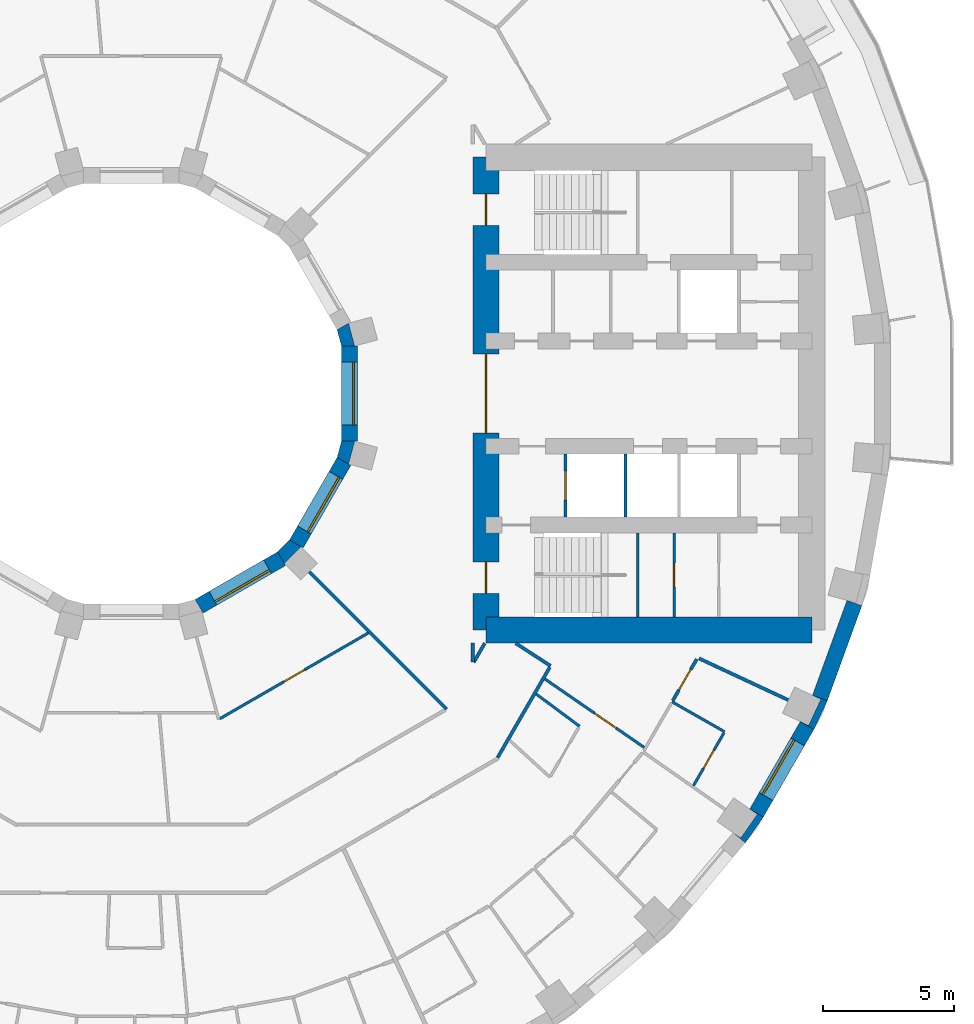
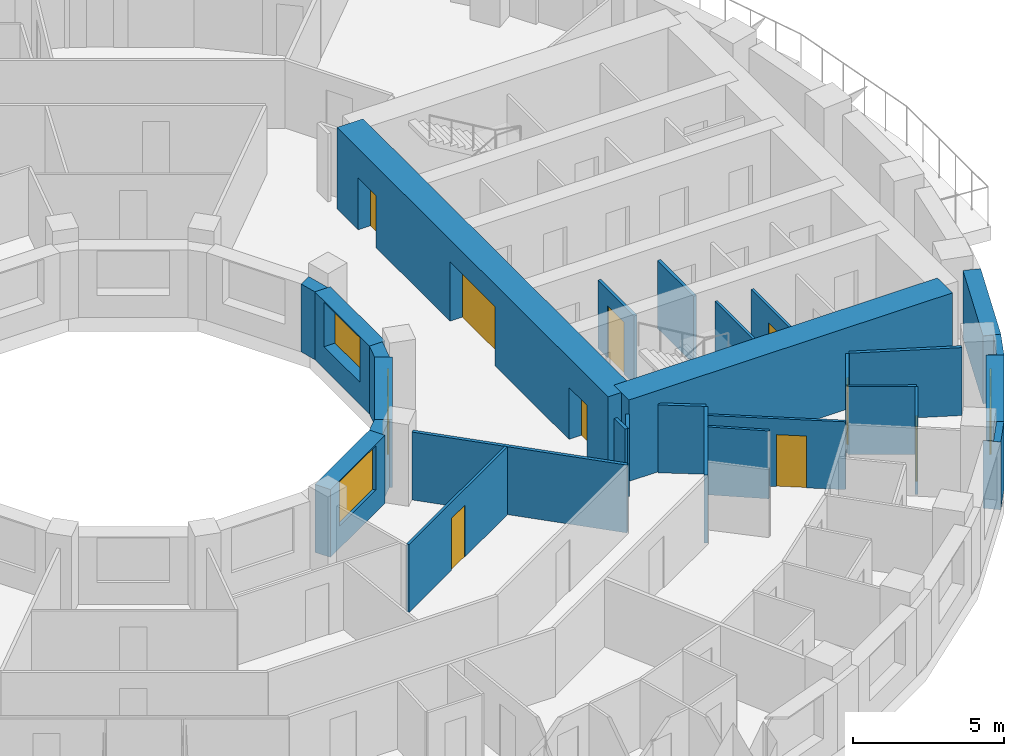
# One storey, part 8 of 15: 28 walls, 9 doors, 4 windows, 13 openings.
"""IFC4 building model written with IfcOpenShell, lengths in metres."""

from ifc_helpers import new_model, si_unit, direction, frame, frame_2d, origin, place, context, subcontext, project, spatial, polyline, rectangle, outline, extrude, material, layer, layer_set, type_object, element, fill, save


model = new_model("IFC4")

# Units and contexts
model_context = context("Model", 3, precision=1e-05, world=origin(), true_north=direction((0.0, 1.0)))
body_context = subcontext(model_context, "Body", "Model", "MODEL_VIEW")
ifc_project = project(units=[si_unit("LENGTHUNIT", "METRE"), si_unit("AREAUNIT", "SQUARE_METRE"), si_unit("VOLUMEUNIT", "CUBIC_METRE"), si_unit("PLANEANGLEUNIT", "RADIAN"), si_unit("MASSUNIT", "GRAM", prefix="KILO")], contexts=[model_context])

# Site, building, storey
site_placement = place(None, origin())
site = spatial("IfcSite", under=ifc_project, at=site_placement, CompositionType="ELEMENT")
building_placement = place(site_placement, origin())
building = spatial("IfcBuilding", under=site, at=building_placement, Name="Saqina Gate Tower", CompositionType="ELEMENT")
storey_placement = place(building_placement, frame((0.0, 0.0, 56.0)))
storey = spatial("IfcBuildingStorey", under=building, at=storey_placement, Name="L15", CompositionType="ELEMENT", Elevation=56.0)

# Walls
ifc_material_1 = material(Name="Brick masonry (red)", Category="masonry")
wall_type_1 = type_object("IfcWallType", Name="BRICK PIER COPING RED", PredefinedType="SOLIDWALL", material=ifc_material_1)
wall_1_placement = place(storey_placement, origin())
element("IfcWall", 1, at=wall_1_placement, inside=storey, type_object=wall_type_1, Name="Pier cap L15 column 33", PredefinedType="SOLIDWALL", context=body_context, shape_type="SweptSolid", body=[
    extrude(outline(polyline([(23.36669921875, -17.096923828125), (24.0576171875, -16.110107421875), (23.5380859375, -15.81005859375), (23.8251953125, -16.010986328125), (23.194091796875, -16.912109375), (22.9072265625, -16.711181640625), (23.36669921875, -17.096923828125)])), origin(), (0.0, 0.0, 1.0), 2.75),
])
wall_2_placement = place(storey_placement, origin())
element("IfcWall", 2, at=wall_2_placement, inside=storey, type_object=wall_type_1, Name="Pier cap L15 column 34", PredefinedType="SOLIDWALL", context=body_context, shape_type="SweptSolid", body=[
    extrude(outline(polyline([(26.48974609375, -11.687744140625), (25.92578125, -11.482666015625), (26.243408203125, -11.630615234375), (25.778564453125, -12.627685546875), (25.4609375, -12.4794921875), (25.980712890625, -12.779541015625), (26.48974609375, -11.687744140625)])), origin(), (0.0, 0.0, 1.0), 2.75),
])

# Wall, opening, door
ifc_material_2 = material(Name="Gypsum board on steel studs", Category="steel")
ifc_layer_1 = layer(ifc_material_2, 0.10009765625)
ifc_layer_set_1 = layer_set([ifc_layer_1], Name="CORE PARTITION")
wall_type_2 = type_object("IfcWallType", Name="CORE PARTITION", PredefinedType="PARTITIONING", material=ifc_layer_set_1)
wall_3_placement = place(storey_placement, frame((20.65771484375, -8.5, 0.0), z_axis=(0.0, 0.0, 1.0), x_axis=(0.0, 1.0, 0.0)))
wall_3 = element("IfcWall", 3, at=wall_3_placement, inside=storey, type_object=wall_type_2, Name="L15-CP-E13", PredefinedType="PARTITIONING", context=body_context, shape_type="SweptSolid", body=[
    extrude(rectangle(XDim=3.199951171875, YDim=0.10009765625, at=frame_2d((1.60009765625, 0.0))), origin(), (0.0, 0.0, 1.0), 2.75),
])
opening_1_placement = place(wall_3_placement, frame((1.14990234375, 0.0, 0.0)))
opening_1 = element("IfcOpeningElement", 4, at=opening_1_placement, cuts=wall_3, Name="Opening G04-D100", PredefinedType="OPENING", context=body_context, shape_type="SweptSolid", body=[
    extrude(rectangle(XDim=0.89990234375, YDim=2.10009765625, at=frame_2d((0.449951171875, 1.050048828125))), frame((0.0, 0.06201171875, 0.0), z_axis=(0.0, -1.0, 0.0), x_axis=(1.0, 0.0, 0.0)), (0.0, 0.0, 1.0), 0.1240234375),
])
ifc_material_3 = material(Name="Steel-framed fire door leaf, EI 60", Category="steel")
door_type_1 = type_object("IfcDoorType", Name="SERVICE ROOM DOOR 900", OperationType="SINGLE_SWING_LEFT", PredefinedType="DOOR", material=ifc_material_3)
door_1_placement = place(opening_1_placement, frame((0.89990234375, 0.0, 0.0), z_axis=(0.0, 0.0, 1.0), x_axis=(-1.0, 0.0, 0.0)))
door_1 = element("IfcDoor", 5, at=door_1_placement, inside=storey, type_object=door_type_1, Name="L15-CD-E11", OperationType="SINGLE_SWING_RIGHT", OverallHeight=2.10009765625, OverallWidth=0.89990234375, PredefinedType="DOOR", context=body_context, shape_type="SweptSolid", body=[
    extrude(rectangle(XDim=0.89990234375, YDim=2.10009765625, at=frame_2d((0.449951171875, 1.050048828125))), frame((0.0, 0.02490234375, 0.0), z_axis=(0.0, -1.0, 0.0), x_axis=(1.0, 0.0, 0.0)), (0.0, 0.0, 1.0), 0.050048828125),
])
fill(opening_1, door_1)

# Wall, opening, window
ifc_material_4 = material(Name="Brick masonry (red)", Category="masonry")
ifc_layer_2 = layer(ifc_material_4, 0.60009765625)
ifc_layer_set_2 = layer_set([ifc_layer_2], Name="FW-BRICK-RED")
wall_type_3 = type_object("IfcWallType", Name="FW-BRICK-RED", PredefinedType="SOLIDWALL", material=ifc_layer_set_2)
wall_4_placement = place(storey_placement, frame((23.7978515625, -15.960205078125, 0.0), z_axis=(0.0, 0.0, 1.0), x_axis=(0.499989888488, 0.86603124159, 0.0)))
wall_4 = element("IfcWall", 6, at=wall_4_placement, inside=storey, type_object=wall_type_3, Name="Facade wall L15 facet 33", PredefinedType="SOLIDWALL", context=body_context, shape_type="SweptSolid", body=[
    extrude(rectangle(XDim=3.845703125, YDim=0.60009765625, at=frame_2d((1.9228515625, 0.0))), origin(), (0.0, 0.0, 1.0), 2.75),
])
opening_2_placement = place(wall_4_placement, frame((0.722900390625, 0.0, 0.89990234375)))
opening_2 = element("IfcOpeningElement", 7, at=opening_2_placement, cuts=wall_4, Name="Opening G04-W23", PredefinedType="OPENING", context=body_context, shape_type="SweptSolid", body=[
    extrude(rectangle(XDim=2.39990234375, YDim=1.800048828125, at=frame_2d((1.199951171875, 0.89990234375))), frame((0.0, 0.31201171875, 0.0), z_axis=(0.0, -1.0, 0.0), x_axis=(1.0, 0.0, 0.0)), (0.0, 0.0, 1.0), 0.6240234375),
])
ifc_material_5 = material(Name="Aluminium glazing", Category="aluminium")
window_type_1 = type_object("IfcWindowType", Name="WN-A", PartitioningType="SINGLE_PANEL", PredefinedType="WINDOW", material=ifc_material_5)
window_1_placement = place(opening_2_placement, origin())
window_1 = element("IfcWindow", 8, at=window_1_placement, inside=storey, type_object=window_type_1, Name="Window L15 facet 33", OverallHeight=1.800048828125, OverallWidth=2.39990234375, PartitioningType="SINGLE_PANEL", PredefinedType="WINDOW", context=body_context, shape_type="SweptSolid", body=[
    extrude(rectangle(XDim=2.39990234375, YDim=1.800048828125, at=frame_2d((1.199951171875, 0.89990234375))), frame((0.0, 0.179931640625, 0.0), z_axis=(0.0, -1.0, 0.0), x_axis=(1.0, 0.0, 0.0)), (0.0, 0.0, 1.0), 0.06005859375),
])
fill(opening_2, window_1)

# Wall
ifc_material_6 = material(Name="Glazed ceramic tile", Category="ceramic")
ifc_layer_3 = layer(ifc_material_6, 0.60009765625)
ifc_layer_set_3 = layer_set([ifc_layer_3], Name="FW-TILE")
wall_type_4 = type_object("IfcWallType", Name="FW-TILE", PredefinedType="SOLIDWALL", material=ifc_layer_set_3)
wall_5_placement = place(storey_placement, frame((26.207763671875, -11.585205078125, 0.0), z_axis=(0.0, 0.0, 1.0), x_axis=(0.342028474173, 0.939689588564, 0.0)))
element("IfcWall", 9, at=wall_5_placement, inside=storey, type_object=wall_type_4, Name="Facade wall L15 facet 34", PredefinedType="SOLIDWALL", context=body_context, shape_type="SweptSolid", body=[
    extrude(rectangle(XDim=3.845947265625, YDim=0.60009765625, at=frame_2d((1.9228515625, 0.0))), origin(), (0.0, 0.0, 1.0), 2.75),
])

# Wall, opening, window
ifc_material_7 = material(Name="Glazed ceramic tile", Category="ceramic")
ifc_layer_4 = layer(ifc_material_7, 0.60009765625)
ifc_layer_set_4 = layer_set([ifc_layer_4], Name="IW-TILE")
wall_type_5 = type_object("IfcWallType", Name="IW-TILE", PredefinedType="SOLIDWALL", material=ifc_layer_set_4)
wall_6_placement = place(storey_placement, frame((2.580322265625, -8.09423828125, 0.0), z_axis=(0.0, 0.0, 1.0), x_axis=(0.866029693906, 0.499992569217, 0.0)))
wall_6 = element("IfcWall", 10, at=wall_6_placement, inside=storey, type_object=wall_type_5, Name="Well wall L15 facet 10", PredefinedType="SOLIDWALL", context=body_context, shape_type="SweptSolid", body=[
    extrude(rectangle(XDim=3.625, YDim=0.60009765625, at=frame_2d((1.8125, 0.0))), origin(), (0.0, 0.0, 1.0), 2.75),
])
opening_3_placement = place(wall_6_placement, frame((0.612548828125, 0.0, 0.89990234375)))
opening_3 = element("IfcOpeningElement", 11, at=opening_3_placement, cuts=wall_6, Name="Opening G04-W33", PredefinedType="OPENING", context=body_context, shape_type="SweptSolid", body=[
    extrude(rectangle(XDim=2.39990234375, YDim=1.800048828125, at=frame_2d((1.199951171875, 0.89990234375))), frame((0.0, 0.31201171875, 0.0), z_axis=(0.0, -1.0, 0.0), x_axis=(1.0, 0.0, 0.0)), (0.0, 0.0, 1.0), 0.6240234375),
])
ifc_material_8 = material(Name="Aluminium glazing", Category="aluminium")
window_type_2 = type_object("IfcWindowType", Name="WN-W", PartitioningType="SINGLE_PANEL", PredefinedType="WINDOW", material=ifc_material_8)
window_2_placement = place(opening_3_placement, origin())
window_2 = element("IfcWindow", 12, at=window_2_placement, inside=storey, type_object=window_type_2, Name="Well window L15 facet 10", OverallHeight=1.800048828125, OverallWidth=2.39990234375, PartitioningType="SINGLE_PANEL", PredefinedType="WINDOW", context=body_context, shape_type="SweptSolid", body=[
    extrude(rectangle(XDim=2.39990234375, YDim=1.800048828125, at=frame_2d((1.199951171875, 0.89990234375))), frame((0.0, -0.119873046875, 0.0), z_axis=(0.0, -1.0, 0.0), x_axis=(1.0, 0.0, 0.0)), (0.0, 0.0, 1.0), 0.06005859375),
])
fill(opening_3, window_2)

wall_7_placement = place(storey_placement, frame((6.28173828125, -5.7197265625, 0.0), z_axis=(0.0, 0.0, 1.0), x_axis=(0.499992569217, 0.866029693906, 0.0)))
wall_7 = element("IfcWall", 13, at=wall_7_placement, inside=storey, type_object=wall_type_5, Name="Well wall L15 facet 11", PredefinedType="SOLIDWALL", context=body_context, shape_type="SweptSolid", body=[
    extrude(rectangle(XDim=3.625, YDim=0.60009765625, at=frame_2d((1.8125, 0.0))), origin(), (0.0, 0.0, 1.0), 2.75),
])
opening_4_placement = place(wall_7_placement, frame((0.612548828125, 0.0, 0.89990234375)))
opening_4 = element("IfcOpeningElement", 14, at=opening_4_placement, cuts=wall_7, Name="Opening G04-W34", PredefinedType="OPENING", context=body_context, shape_type="SweptSolid", body=[
    extrude(rectangle(XDim=2.39990234375, YDim=1.800048828125, at=frame_2d((1.199951171875, 0.89990234375))), frame((0.0, 0.31201171875, 0.0), z_axis=(0.0, -1.0, 0.0), x_axis=(1.0, 0.0, 0.0)), (0.0, 0.0, 1.0), 0.6240234375),
])
window_3_placement = place(opening_4_placement, origin())
window_3 = element("IfcWindow", 15, at=window_3_placement, inside=storey, type_object=window_type_2, Name="Well window L15 facet 11", OverallHeight=1.800048828125, OverallWidth=2.39990234375, PartitioningType="SINGLE_PANEL", PredefinedType="WINDOW", context=body_context, shape_type="SweptSolid", body=[
    extrude(rectangle(XDim=2.39990234375, YDim=1.800048828125, at=frame_2d((1.199951171875, 0.89990234375))), frame((0.0, -0.119873046875, 0.0), z_axis=(0.0, -1.0, 0.0), x_axis=(1.0, 0.0, 0.0)), (0.0, 0.0, 1.0), 0.06005859375),
])
fill(opening_4, window_3)

wall_8_placement = place(storey_placement, frame((8.300048828125, -1.8125, 0.0), z_axis=(0.0, 0.0, 1.0), x_axis=(0.0, 1.0, 0.0)))
wall_8 = element("IfcWall", 16, at=wall_8_placement, inside=storey, type_object=wall_type_5, Name="Well wall L15 facet 12", PredefinedType="SOLIDWALL", context=body_context, shape_type="SweptSolid", body=[
    extrude(rectangle(XDim=3.625, YDim=0.60009765625, at=frame_2d((1.8125, 0.0))), origin(), (0.0, 0.0, 1.0), 2.75),
])
opening_5_placement = place(wall_8_placement, frame((0.612548828125, 0.0, 0.89990234375)))
opening_5 = element("IfcOpeningElement", 17, at=opening_5_placement, cuts=wall_8, Name="Opening G04-W35", PredefinedType="OPENING", context=body_context, shape_type="SweptSolid", body=[
    extrude(rectangle(XDim=2.39990234375, YDim=1.800048828125, at=frame_2d((1.199951171875, 0.89990234375))), frame((0.0, 0.31201171875, 0.0), z_axis=(0.0, -1.0, 0.0), x_axis=(1.0, 0.0, 0.0)), (0.0, 0.0, 1.0), 0.6240234375),
])
window_4_placement = place(opening_5_placement, origin())
window_4 = element("IfcWindow", 18, at=window_4_placement, inside=storey, type_object=window_type_2, Name="Well window L15 facet 12", OverallHeight=1.800048828125, OverallWidth=2.39990234375, PartitioningType="SINGLE_PANEL", PredefinedType="WINDOW", context=body_context, shape_type="SweptSolid", body=[
    extrude(rectangle(XDim=2.39990234375, YDim=1.800048828125, at=frame_2d((1.199951171875, 0.89990234375))), frame((0.0, -0.119873046875, 0.0), z_axis=(0.0, -1.0, 0.0), x_axis=(1.0, 0.0, 0.0)), (0.0, 0.0, 1.0), 0.06005859375),
])
fill(opening_5, window_4)

# Wall
ifc_material_9 = material(Name="Gypsum board on steel studs, 100 mm", Category="steel")
ifc_layer_5 = layer(ifc_material_9, 0.10009765625)
ifc_layer_set_5 = layer_set([ifc_layer_5], Name="PARTITION 100")
wall_type_6 = type_object("IfcWallType", Name="PARTITION 100", PredefinedType="PARTITIONING", material=ifc_layer_set_5)
wall_9_placement = place(storey_placement, frame((15.41015625, -11.433349609375, 0.0), z_axis=(0.0, 0.0, 1.0), x_axis=(0.802890347471, -0.596126739827, 0.0)))
element("IfcWall", 19, at=wall_9_placement, inside=storey, type_object=wall_type_6, Name="PARTITION PW3-35", PredefinedType="PARTITIONING", context=body_context, shape_type="SweptSolid", body=[
    extrude(rectangle(XDim=2.051025390625, YDim=0.10009765625, at=frame_2d((1.025390625, 0.0))), origin(), (0.0, 0.0, 1.0), 2.75),
])

# Wall, opening, door
wall_10_placement = place(storey_placement, frame((15.74169921875, -10.859619140625, 0.0), z_axis=(0.0, 0.0, 1.0), x_axis=(0.823211072174, -0.56773544072, 0.0)))
wall_10 = element("IfcWall", 20, at=wall_10_placement, inside=storey, type_object=wall_type_6, Name="PARTITION PW3-38", PredefinedType="PARTITIONING", context=body_context, shape_type="SweptSolid", body=[
    extrude(rectangle(XDim=4.591796875, YDim=0.10009765625, at=frame_2d((2.2958984375, 0.0))), origin(), (0.0, 0.0, 1.0), 2.75),
])
opening_6_placement = place(wall_10_placement, frame((2.28955078125, 0.0, 0.0)))
opening_6 = element("IfcOpeningElement", 21, at=opening_6_placement, cuts=wall_10, Name="Opening G04-D66", PredefinedType="OPENING", context=body_context, shape_type="SweptSolid", body=[
    extrude(rectangle(XDim=1.0, YDim=2.10009765625, at=frame_2d((0.5, 1.050048828125))), frame((0.0, 0.06201171875, 0.0), z_axis=(0.0, -1.0, 0.0), x_axis=(1.0, 0.0, 0.0)), (0.0, 0.0, 1.0), 0.1240234375),
])
ifc_material_10 = material(Name="Timber door leaf, 1000 mm", Category="wood")
door_type_2 = type_object("IfcDoorType", Name="DOOR 1000 TIMBER", OperationType="SINGLE_SWING_LEFT", PredefinedType="DOOR", material=ifc_material_10)
door_2_placement = place(opening_6_placement, frame((1.0, 0.0, 0.0), z_axis=(0.0, 0.0, 1.0), x_axis=(-1.0, 0.0, 0.0)))
door_2 = element("IfcDoor", 22, at=door_2_placement, inside=storey, type_object=door_type_2, Name="DOOR G04-D66", OperationType="SINGLE_SWING_RIGHT", OverallHeight=2.10009765625, OverallWidth=1.0, PredefinedType="DOOR", context=body_context, shape_type="SweptSolid", body=[
    extrude(rectangle(XDim=1.0, YDim=2.10009765625, at=frame_2d((0.5, 1.050048828125))), frame((0.0, 0.02490234375, 0.0), z_axis=(0.0, -1.0, 0.0), x_axis=(1.0, 0.0, 0.0)), (0.0, 0.0, 1.0), 0.050048828125),
])
fill(opening_6, door_2)

# Wall
wall_11_placement = place(storey_placement, frame((20.58203125, -11.72998046875, 0.0), z_axis=(0.0, 0.0, 1.0), x_axis=(0.868771789729, -0.495212658735, 0.0)))
element("IfcWall", 23, at=wall_11_placement, inside=storey, type_object=wall_type_6, Name="PARTITION PW3-46", PredefinedType="PARTITIONING", context=body_context, shape_type="SweptSolid", body=[
    extrude(rectangle(XDim=2.2998046875, YDim=0.10009765625, at=frame_2d((1.14990234375, 0.0))), origin(), (0.0, 0.0, 1.0), 2.75),
])

# Wall, opening, door
wall_12_placement = place(storey_placement, frame((3.3662109375, -12.375, 0.0), z_axis=(0.0, 0.0, 1.0), x_axis=(0.86596399252, 0.500106352348, 0.0)))
wall_12 = element("IfcWall", 24, at=wall_12_placement, inside=storey, type_object=wall_type_6, Name="PARTITION PW3-74", PredefinedType="PARTITIONING", context=body_context, shape_type="SweptSolid", body=[
    extrude(rectangle(XDim=6.5322265625, YDim=0.10009765625, at=frame_2d((3.26611328125, 0.0))), origin(), (0.0, 0.0, 1.0), 2.75),
])
opening_7_placement = place(wall_12_placement, frame((2.822265625, 0.0, 0.0)))
opening_7 = element("IfcOpeningElement", 25, at=opening_7_placement, cuts=wall_12, Name="Opening G04-D57", PredefinedType="OPENING", context=body_context, shape_type="SweptSolid", body=[
    extrude(rectangle(XDim=0.89990234375, YDim=2.10009765625, at=frame_2d((0.449951171875, 1.050048828125))), frame((0.0, 0.06201171875, 0.0), z_axis=(0.0, -1.0, 0.0), x_axis=(1.0, 0.0, 0.0)), (0.0, 0.0, 1.0), 0.1240234375),
])
ifc_material_11 = material(Name="Timber door leaf, 900 mm", Category="wood")
door_type_3 = type_object("IfcDoorType", Name="DOOR 900 TIMBER", OperationType="SINGLE_SWING_LEFT", PredefinedType="DOOR", material=ifc_material_11)
door_3_placement = place(opening_7_placement, frame((0.89990234375, 0.0, 0.0), z_axis=(0.0, 0.0, 1.0), x_axis=(-1.0, 0.0, 0.0)))
door_3 = element("IfcDoor", 26, at=door_3_placement, inside=storey, type_object=door_type_3, Name="DOOR G04-D57", OperationType="SINGLE_SWING_LEFT", OverallHeight=2.10009765625, OverallWidth=0.89990234375, PredefinedType="DOOR", context=body_context, shape_type="SweptSolid", body=[
    extrude(rectangle(XDim=0.89990234375, YDim=2.10009765625, at=frame_2d((0.449951171875, 1.050048828125))), frame((0.0, 0.02490234375, 0.0), z_axis=(0.0, -1.0, 0.0), x_axis=(1.0, 0.0, 0.0)), (0.0, 0.0, 1.0), 0.050048828125),
])
fill(opening_7, door_3)

wall_13_placement = place(storey_placement, frame((21.39599609375, -14.920654296875, 0.0), z_axis=(0.0, 0.0, 1.0), x_axis=(0.499819678633, 0.866129487347, 0.0)))
wall_13 = element("IfcWall", 27, at=wall_13_placement, inside=storey, type_object=wall_type_6, Name="PARTITION PW3-91", PredefinedType="PARTITIONING", context=body_context, shape_type="SweptSolid", body=[
    extrude(rectangle(XDim=2.318603515625, YDim=0.10009765625, at=frame_2d((1.1591796875, 0.0))), origin(), (0.0, 0.0, 1.0), 2.75),
])
opening_8_placement = place(wall_13_placement, frame((0.759521484375, 0.0, 0.0)))
opening_8 = element("IfcOpeningElement", 28, at=opening_8_placement, cuts=wall_13, Name="Opening G04-D67", PredefinedType="OPENING", context=body_context, shape_type="SweptSolid", body=[
    extrude(rectangle(XDim=0.800048828125, YDim=2.10009765625, at=frame_2d((0.39990234375, 1.050048828125))), frame((0.0, 0.06201171875, 0.0), z_axis=(0.0, -1.0, 0.0), x_axis=(1.0, 0.0, 0.0)), (0.0, 0.0, 1.0), 0.1240234375),
])
ifc_material_12 = material(Name="Timber door leaf, 800 mm", Category="wood")
door_type_4 = type_object("IfcDoorType", Name="DOOR 800 TIMBER", OperationType="SINGLE_SWING_LEFT", PredefinedType="DOOR", material=ifc_material_12)
door_4_placement = place(opening_8_placement, frame((0.800048828125, 0.0, 0.0), z_axis=(0.0, 0.0, 1.0), x_axis=(-1.0, 0.0, 0.0)))
door_4 = element("IfcDoor", 29, at=door_4_placement, inside=storey, type_object=door_type_4, Name="DOOR G04-D67", OperationType="SINGLE_SWING_RIGHT", OverallHeight=2.10009765625, OverallWidth=0.800048828125, PredefinedType="DOOR", context=body_context, shape_type="SweptSolid", body=[
    extrude(rectangle(XDim=0.800048828125, YDim=2.10009765625, at=frame_2d((0.39990234375, 1.050048828125))), frame((0.0, 0.02490234375, 0.0), z_axis=(0.0, -1.0, 0.0), x_axis=(1.0, 0.0, 0.0)), (0.0, 0.0, 1.0), 0.050048828125),
])
fill(opening_8, door_4)

# Walls
ifc_material_13 = material(Name="Gypsum board on steel studs, 125 mm, fire rated", Category="steel")
ifc_layer_6 = layer(ifc_material_13, 0.125)
ifc_layer_set_6 = layer_set([ifc_layer_6], Name="PARTITION EI 30 125")
wall_type_7 = type_object("IfcWallType", Name="PARTITION EI 30 125", PredefinedType="PARTITIONING", material=ifc_layer_set_6)
wall_14_placement = place(storey_placement, frame((6.78271484375, -6.78271484375, 0.0), z_axis=(0.0, 0.0, 1.0), x_axis=(0.707106781187, -0.707106781187, 0.0)))
element("IfcWall", 30, at=wall_14_placement, inside=storey, type_object=wall_type_7, Name="PARTITION PW1-06", PredefinedType="PARTITIONING", context=body_context, shape_type="SweptSolid", body=[
    extrude(rectangle(XDim=7.386962890625, YDim=0.125, at=frame_2d((3.693359375, 0.0))), origin(), (0.0, 0.0, 1.0), 2.75),
])
wall_15_placement = place(storey_placement, frame((14.62890625, -9.5, 0.0), z_axis=(0.0, 0.0, 1.0), x_axis=(0.838795721465, -0.544446267002, 0.0)))
element("IfcWall", 31, at=wall_15_placement, inside=storey, type_object=wall_type_7, Name="PARTITION PW1-09", PredefinedType="PARTITIONING", context=body_context, shape_type="SweptSolid", body=[
    extrude(rectangle(XDim=1.583251953125, YDim=0.125, at=frame_2d((0.79150390625, 0.0))), origin(), (0.0, 0.0, 1.0), 2.75),
])
wall_16_placement = place(storey_placement, frame((21.607666015625, -10.078369140625, 0.0), z_axis=(0.0, 0.0, 1.0), x_axis=(0.906339528383, -0.42255018553, 0.0)))
element("IfcWall", 32, at=wall_16_placement, inside=storey, type_object=wall_type_7, Name="PARTITION PW1-16", PredefinedType="PARTITIONING", context=body_context, shape_type="SweptSolid", body=[
    extrude(rectangle(XDim=3.74755859375, YDim=0.125, at=frame_2d((1.873779296875, 0.0))), origin(), (0.0, 0.0, 1.0), 2.75),
])

# Wall, opening, door
wall_17_placement = place(storey_placement, frame((20.60693359375, -11.686767578125, 0.0), z_axis=(0.0, 0.0, 1.0), x_axis=(0.500003827654, 0.866023193876, 0.0)))
wall_17 = element("IfcWall", 33, at=wall_17_placement, inside=storey, type_object=wall_type_7, Name="PARTITION PW1-46", PredefinedType="PARTITIONING", context=body_context, shape_type="SweptSolid", body=[
    extrude(rectangle(XDim=1.82763671875, YDim=0.125, at=frame_2d((0.913818359375, 0.0))), origin(), (0.0, 0.0, 1.0), 2.75),
])
opening_9_placement = place(wall_17_placement, frame((0.46875, 0.0, 0.0)))
opening_9 = element("IfcOpeningElement", 34, at=opening_9_placement, cuts=wall_17, Name="Opening G04-D68", PredefinedType="OPENING", context=body_context, shape_type="SweptSolid", body=[
    extrude(rectangle(XDim=0.89990234375, YDim=2.10009765625, at=frame_2d((0.449951171875, 1.050048828125))), frame((0.0, 0.074462890625, 0.0), z_axis=(0.0, -1.0, 0.0), x_axis=(1.0, 0.0, 0.0)), (0.0, 0.0, 1.0), 0.14892578125),
])
ifc_material_14 = material(Name="Fire door leaf EI 30, 900 mm")
door_type_5 = type_object("IfcDoorType", Name="DOOR 900 EI 30", OperationType="SINGLE_SWING_LEFT", PredefinedType="DOOR", material=ifc_material_14)
door_5_placement = place(opening_9_placement, origin())
door_5 = element("IfcDoor", 35, at=door_5_placement, inside=storey, type_object=door_type_5, Name="DOOR G04-D68", OperationType="SINGLE_SWING_RIGHT", OverallHeight=2.10009765625, OverallWidth=0.89990234375, PredefinedType="DOOR", context=body_context, shape_type="SweptSolid", body=[
    extrude(rectangle(XDim=0.89990234375, YDim=2.10009765625, at=frame_2d((0.449951171875, 1.050048828125))), frame((0.0, 0.02490234375, 0.0), z_axis=(0.0, -1.0, 0.0), x_axis=(1.0, 0.0, 0.0)), (0.0, 0.0, 1.0), 0.050048828125),
])
fill(opening_9, door_5)

# Walls
wall_18_placement = place(storey_placement, frame((13.940185546875, -13.85498046875, 0.0), z_axis=(0.0, 0.0, 1.0), x_axis=(0.500020477838, 0.866013580576, 0.0)))
element("IfcWall", 36, at=wall_18_placement, inside=storey, type_object=wall_type_7, Name="PARTITION PW1-47", PredefinedType="PARTITIONING", context=body_context, shape_type="SweptSolid", body=[
    extrude(rectangle(XDim=3.970947265625, YDim=0.125, at=frame_2d((1.9853515625, 0.0))), origin(), (0.0, 0.0, 1.0), 2.75),
])
wall_19_placement = place(storey_placement, frame((13.034912109375, -10.222412109375, 0.0), z_axis=(0.0, 0.0, 1.0), x_axis=(0.49991670217, 0.866073490468, 0.0)))
element("IfcWall", 37, at=wall_19_placement, inside=storey, type_object=wall_type_7, Name="PARTITION PW1-48", PredefinedType="PARTITIONING", context=body_context, shape_type="SweptSolid", body=[
    extrude(rectangle(XDim=0.834228515625, YDim=0.125, at=frame_2d((0.4169921875, 0.0))), origin(), (0.0, 0.0, 1.0), 2.75),
])
wall_20_placement = place(storey_placement, frame((13.0, -10.220458984375, 0.0), z_axis=(0.0, 0.0, 1.0), x_axis=(0.0, 1.0, 0.0)))
element("IfcWall", 38, at=wall_20_placement, inside=storey, type_object=wall_type_7, Name="PARTITION PW1-52", PredefinedType="PARTITIONING", context=body_context, shape_type="SweptSolid", body=[
    extrude(rectangle(XDim=0.720458984375, YDim=0.125, at=frame_2d((0.3603515625, 0.0))), origin(), (0.0, 0.0, 1.0), 2.75),
])

# Wall, opening, door
ifc_material_15 = material(Name="Autoclaved aerated concrete block", Category="concrete")
ifc_layer_7 = layer(ifc_material_15, 0.1201171875)
ifc_layer_set_7 = layer_set([ifc_layer_7], Name="SHAFT PARTITION")
wall_type_8 = type_object("IfcWallType", Name="SHAFT PARTITION", PredefinedType="PARTITIONING", material=ifc_layer_set_7)
wall_21_placement = place(storey_placement, frame((16.530029296875, -4.699951171875, 0.0), z_axis=(0.0, 0.0, 1.0), x_axis=(0.0, 1.0, 0.0)))
wall_21 = element("IfcWall", 39, at=wall_21_placement, inside=storey, type_object=wall_type_8, Name="L15-CP-E05", PredefinedType="PARTITIONING", context=body_context, shape_type="SweptSolid", body=[
    extrude(rectangle(XDim=2.39990234375, YDim=0.1201171875, at=frame_2d((1.199951171875, 0.0))), origin(), (0.0, 0.0, 1.0), 2.75),
])
opening_10_placement = place(wall_21_placement, frame((0.64990234375, 0.0, 0.0)))
opening_10 = element("IfcOpeningElement", 40, at=opening_10_placement, cuts=wall_21, Name="Opening G04-LD2", PredefinedType="OPENING", context=body_context, shape_type="SweptSolid", body=[
    extrude(rectangle(XDim=1.10009765625, YDim=2.10009765625, at=frame_2d((0.550048828125, 1.050048828125))), frame((0.0, 0.072021484375, 0.0), z_axis=(0.0, -1.0, 0.0), x_axis=(1.0, 0.0, 0.0)), (0.0, 0.0, 1.0), 0.14404296875),
])
ifc_material_16 = material(Name="Stainless steel", Category="steel")
door_type_6 = type_object("IfcDoorType", Name="LANDING DOOR", OperationType="DOUBLE_DOOR_SLIDING", PredefinedType="DOOR", material=ifc_material_16)
door_6_placement = place(opening_10_placement, origin())
door_6 = element("IfcDoor", 41, at=door_6_placement, inside=storey, type_object=door_type_6, Name="LANDING DOOR FF1", OperationType="DOUBLE_DOOR_SLIDING", OverallHeight=2.10009765625, OverallWidth=1.10009765625, PredefinedType="DOOR", context=body_context, shape_type="SweptSolid", body=[
    extrude(rectangle(XDim=1.10009765625, YDim=2.10009765625, at=frame_2d((0.550048828125, 1.050048828125))), frame((0.0, 0.02490234375, 0.0), z_axis=(0.0, -1.0, 0.0), x_axis=(1.0, 0.0, 0.0)), (0.0, 0.0, 1.0), 0.050048828125),
])
fill(opening_10, door_6)

# Walls
wall_22_placement = place(storey_placement, frame((18.81005859375, -4.699951171875, 0.0), z_axis=(0.0, 0.0, 1.0), x_axis=(0.0, 1.0, 0.0)))
element("IfcWall", 42, at=wall_22_placement, inside=storey, type_object=wall_type_8, Name="L15-CP-E06", PredefinedType="PARTITIONING", context=body_context, shape_type="SweptSolid", body=[
    extrude(rectangle(XDim=2.39990234375, YDim=0.1201171875, at=frame_2d((1.199951171875, 0.0))), origin(), (0.0, 0.0, 1.0), 2.75),
])
ifc_material_17 = material(Name="Autoclaved aerated concrete block", Category="concrete")
ifc_layer_8 = layer(ifc_material_17, 0.10009765625)
ifc_layer_set_8 = layer_set([ifc_layer_8], Name="STAIR ENCLOSURE WALL")
wall_type_9 = type_object("IfcWallType", Name="STAIR ENCLOSURE WALL", PredefinedType="PARTITIONING", material=ifc_layer_set_8)
wall_23_placement = place(storey_placement, frame((19.27001953125, -8.5, 0.0), z_axis=(0.0, 0.0, 1.0), x_axis=(0.0, 1.0, 0.0)))
element("IfcWall", 43, at=wall_23_placement, inside=storey, type_object=wall_type_9, Name="L15-CP-E12", PredefinedType="PARTITIONING", context=body_context, shape_type="SweptSolid", body=[
    extrude(rectangle(XDim=3.199951171875, YDim=0.10009765625, at=frame_2d((1.60009765625, 0.0))), origin(), (0.0, 0.0, 1.0), 2.75),
])

# Wall, openings, doors
ifc_material_18 = material(Name="Concrete C70/85", Category="concrete")
ifc_layer_9 = layer(ifc_material_18, 1.0)
ifc_layer_set_9 = layer_set([ifc_layer_9], Name="Concrete C70/85")
wall_type_10 = type_object("IfcWallType", Name="STR-CORE WALL-A-O", PredefinedType="SHEAR", material=ifc_layer_set_9)
wall_24_placement = place(storey_placement, frame((13.5, -9.0, 0.0), z_axis=(0.0, 0.0, 1.0), x_axis=(0.0, 1.0, 0.0)))
wall_24 = element("IfcWall", 44, at=wall_24_placement, inside=storey, type_object=wall_type_10, Name="CORE WALL L15 E-W1", PredefinedType="SHEAR", context=body_context, shape_type="SweptSolid", body=[
    extrude(rectangle(XDim=18.0, YDim=1.0, at=frame_2d((9.0, 0.0))), origin(), (0.0, 0.0, 1.0), 3.300048828125),
])
opening_11_placement = place(wall_24_placement, frame((15.39990234375, 0.0, 0.0)))
opening_11 = element("IfcOpeningElement", 45, at=opening_11_placement, cuts=wall_24, Name="Opening G04-D103", PredefinedType="OPENING", context=body_context, shape_type="SweptSolid", body=[
    extrude(rectangle(XDim=1.199951171875, YDim=2.10009765625, at=frame_2d((0.60009765625, 1.050048828125))), frame((0.0, 0.511962890625, 0.0), z_axis=(0.0, -1.0, 0.0), x_axis=(1.0, 0.0, 0.0)), (0.0, 0.0, 1.0), 1.02392578125),
])
opening_12_placement = place(wall_24_placement, frame((1.39990234375, 0.0, 0.0)))
opening_12 = element("IfcOpeningElement", 46, at=opening_12_placement, cuts=wall_24, Name="Opening G04-D104", PredefinedType="OPENING", context=body_context, shape_type="SweptSolid", body=[
    extrude(rectangle(XDim=1.199951171875, YDim=2.10009765625, at=frame_2d((0.60009765625, 1.050048828125))), frame((0.0, 0.511962890625, 0.0), z_axis=(0.0, -1.0, 0.0), x_axis=(1.0, 0.0, 0.0)), (0.0, 0.0, 1.0), 1.02392578125),
])
opening_13_placement = place(wall_24_placement, frame((7.5, 0.0, 0.0)))
opening_13 = element("IfcOpeningElement", 47, at=opening_13_placement, cuts=wall_24, Name="Opening G04-D105", PredefinedType="OPENING", context=body_context, shape_type="SweptSolid", body=[
    extrude(rectangle(XDim=3.0, YDim=2.39990234375, at=frame_2d((1.5, 1.199951171875))), frame((0.0, 0.511962890625, 0.0), z_axis=(0.0, -1.0, 0.0), x_axis=(1.0, 0.0, 0.0)), (0.0, 0.0, 1.0), 1.02392578125),
])
ifc_material_19 = material(Name="Steel", Category="steel")
door_type_7 = type_object("IfcDoorType", Name="FIRE DOOR EI 60", OperationType="SINGLE_SWING_LEFT", PredefinedType="DOOR", material=ifc_material_19)
door_7_placement = place(opening_11_placement, frame((1.199951171875, 0.0, 0.0), z_axis=(0.0, 0.0, 1.0), x_axis=(-1.0, 0.0, 0.0)))
door_7 = element("IfcDoor", 48, at=door_7_placement, inside=storey, type_object=door_type_7, Name="L15-CD-E14", OperationType="SINGLE_SWING_LEFT", OverallHeight=2.10009765625, OverallWidth=1.199951171875, PredefinedType="DOOR", context=body_context, shape_type="SweptSolid", body=[
    extrude(rectangle(XDim=1.199951171875, YDim=2.10009765625, at=frame_2d((0.60009765625, 1.050048828125))), frame((0.0, 0.02490234375, 0.0), z_axis=(0.0, -1.0, 0.0), x_axis=(1.0, 0.0, 0.0)), (0.0, 0.0, 1.0), 0.050048828125),
])
fill(opening_11, door_7)
door_8_placement = place(opening_12_placement, frame((1.199951171875, 0.0, 0.0), z_axis=(0.0, 0.0, 1.0), x_axis=(-1.0, 0.0, 0.0)))
door_8 = element("IfcDoor", 49, at=door_8_placement, inside=storey, type_object=door_type_7, Name="L15-CD-E15", OperationType="SINGLE_SWING_RIGHT", OverallHeight=2.10009765625, OverallWidth=1.199951171875, PredefinedType="DOOR", context=body_context, shape_type="SweptSolid", body=[
    extrude(rectangle(XDim=1.199951171875, YDim=2.10009765625, at=frame_2d((0.60009765625, 1.050048828125))), frame((0.0, 0.02490234375, 0.0), z_axis=(0.0, -1.0, 0.0), x_axis=(1.0, 0.0, 0.0)), (0.0, 0.0, 1.0), 0.050048828125),
])
fill(opening_12, door_8)
ifc_material_20 = material(Name="Steel and fire-resisting glass", Category="steel")
door_type_8 = type_object("IfcDoorType", Name="LOBBY SCREEN DOOR", OperationType="DOUBLE_DOOR_SLIDING", PredefinedType="DOOR", material=ifc_material_20)
door_9_placement = place(opening_13_placement, origin())
door_9 = element("IfcDoor", 50, at=door_9_placement, inside=storey, type_object=door_type_8, Name="L15-CD-E16", OperationType="DOUBLE_DOOR_SLIDING", OverallHeight=2.39990234375, OverallWidth=3.0, PredefinedType="DOOR", context=body_context, shape_type="SweptSolid", body=[
    extrude(rectangle(XDim=3.0, YDim=2.39990234375, at=frame_2d((1.5, 1.199951171875))), frame((0.0, 0.02490234375, 0.0), z_axis=(0.0, -1.0, 0.0), x_axis=(1.0, 0.0, 0.0)), (0.0, 0.0, 1.0), 0.050048828125),
])
fill(opening_13, door_9)

# Walls
wall_25_placement = place(storey_placement, frame((13.5, -9.0, 0.0), z_axis=(0.0, 0.0, 1.0), x_axis=(1.0, 0.0, 0.0)))
element("IfcWall", 51, at=wall_25_placement, inside=storey, type_object=wall_type_10, Name="CORE WALL L15 E-SE", PredefinedType="SHEAR", context=body_context, shape_type="SweptSolid", body=[
    extrude(rectangle(XDim=12.39990234375, YDim=1.0, at=frame_2d((6.199951171875, 0.0))), origin(), (0.0, 0.0, 1.0), 3.300048828125),
])
ifc_material_21 = material(Name="Glazed ceramic tile", Category="ceramic")
wall_type_11 = type_object("IfcWallType", Name="TILE PIER COPING", PredefinedType="SOLIDWALL", material=ifc_material_21)
wall_26_placement = place(storey_placement, origin())
element("IfcWall", 52, at=wall_26_placement, inside=storey, type_object=wall_type_11, Name="Well pier cap L15 column 1", PredefinedType="SOLIDWALL", context=body_context, shape_type="SweptSolid", body=[
    extrude(outline(polyline([(8.27001953125, 2.681884765625), (7.83447265625, 2.430419921875), (8.0, 1.8125), (8.502685546875, 1.8125), (8.27001953125, 2.681884765625)])), origin(), (0.0, 0.0, 1.0), 2.75),
])
wall_27_placement = place(storey_placement, origin())
element("IfcWall", 53, at=wall_27_placement, inside=storey, type_object=wall_type_11, Name="Well pier cap L15 column 11", PredefinedType="SOLIDWALL", context=body_context, shape_type="SweptSolid", body=[
    extrude(outline(polyline([(5.821044921875, -6.45751953125), (6.45751953125, -5.821044921875), (6.02197265625, -5.569580078125), (5.569580078125, -6.02197265625), (5.821044921875, -6.45751953125)])), origin(), (0.0, 0.0, 1.0), 2.75),
])
wall_28_placement = place(storey_placement, origin())
element("IfcWall", 54, at=wall_28_placement, inside=storey, type_object=wall_type_11, Name="Well pier cap L15 column 12", PredefinedType="SOLIDWALL", context=body_context, shape_type="SweptSolid", body=[
    extrude(outline(polyline([(8.502685546875, -1.8125), (8.0, -1.8125), (7.83447265625, -2.430419921875), (8.27001953125, -2.681884765625), (8.502685546875, -1.8125)])), origin(), (0.0, 0.0, 1.0), 2.75),
])

save(model, "model.ifc")
